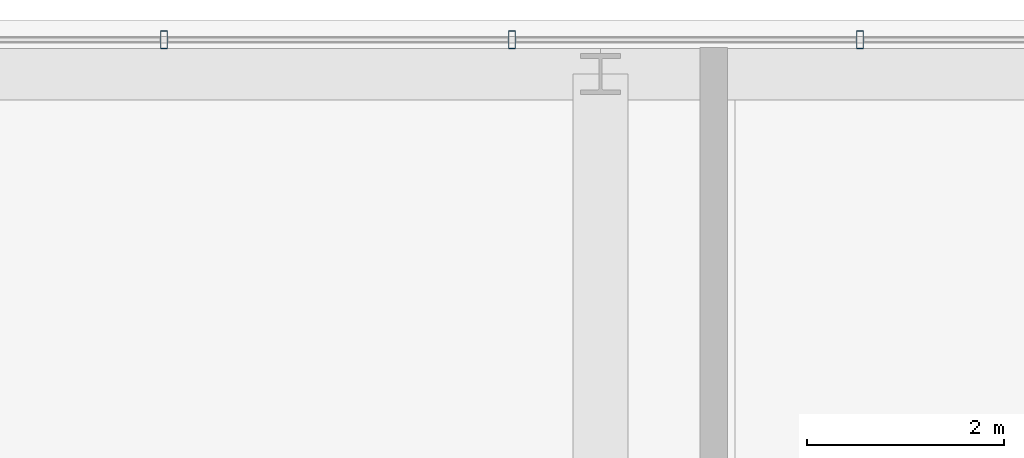
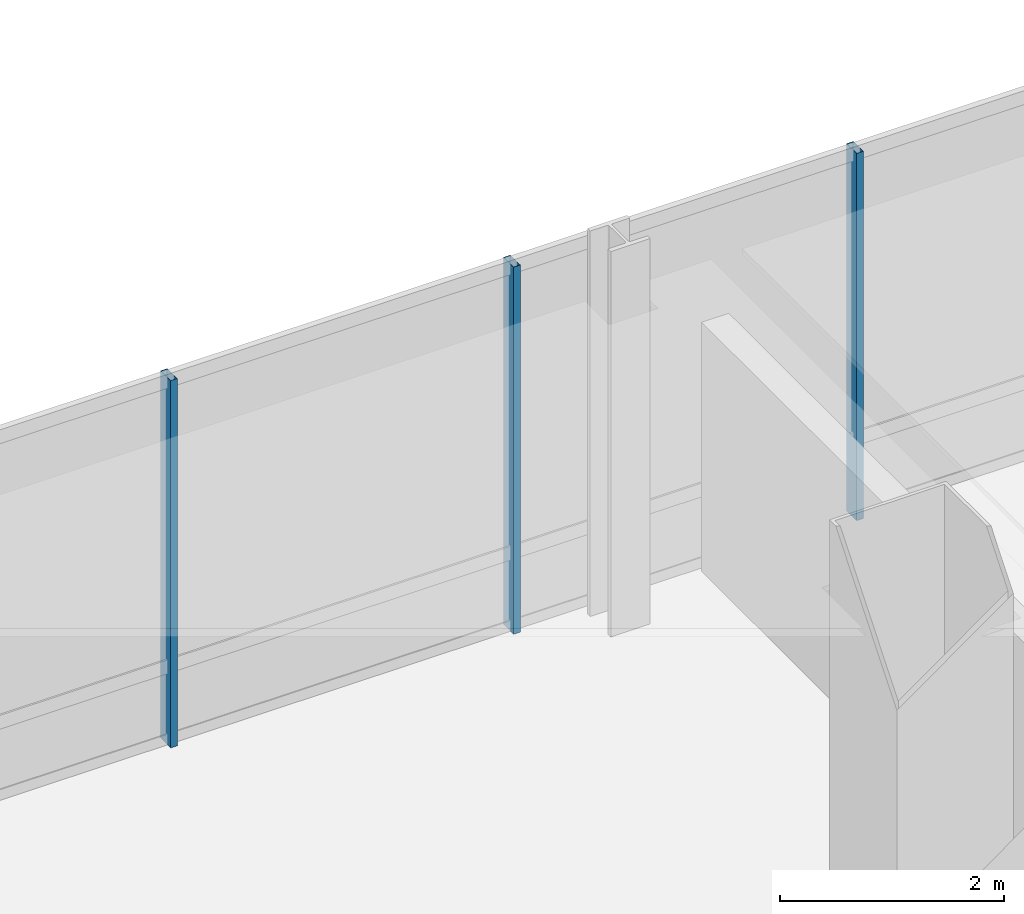
# One storey, part 27 of 42: 3 members, 1 element without a shape of its own.
"""IFC4 building model written with IfcOpenShell, lengths in metres."""

from ifc_helpers import new_model, si_unit, direction, frame, origin, origin_2d, place, context, subcontext, project, spatial, hollow_rectangle, extrude, material, material_profile, profile_set, type_object, element, aggregate, save


model = new_model("IFC4")

# Units and contexts
model_context = context("Model", 3, precision=1e-05, world=origin(), true_north=direction((0.0, 1.0)))
body_context = subcontext(model_context, "Body", "Model", "MODEL_VIEW")
ifc_project = project(units=[si_unit("LENGTHUNIT", "METRE"), si_unit("AREAUNIT", "SQUARE_METRE"), si_unit("VOLUMEUNIT", "CUBIC_METRE"), si_unit("PLANEANGLEUNIT", "RADIAN"), si_unit("MASSUNIT", "GRAM", prefix="KILO")], contexts=[model_context])

# Site, building, storey
site_placement = place(None, origin())
site = spatial("IfcSite", under=ifc_project, at=site_placement, CompositionType="ELEMENT")
building_placement = place(site_placement, origin())
building = spatial("IfcBuilding", under=site, at=building_placement, Name="Punatoya Terracotta Tower", CompositionType="ELEMENT")
storey_placement = place(building_placement, frame((0.0, 0.0, 304.800048828125)))
storey = spatial("IfcBuildingStorey", under=building, at=storey_placement, Name="L72", CompositionType="ELEMENT", Elevation=304.800048828125)

# Curtain wall, members
ifc_material_1 = material(Name="Aluminium 6063-T6 + Double Low-E Glass", Category="aluminium")
curtain_wall_type = type_object("IfcCurtainWallType", Name="CW-M3", PredefinedType="NOTDEFINED", material=ifc_material_1)
curtain_wall_placement = place(storey_placement, origin())
curtain_wall = element("IfcCurtainWall", 1, at=curtain_wall_placement, inside=storey, type_object=curtain_wall_type, Name="L72 Curtain Wall CW-L72-N09-1", PredefinedType="NOTDEFINED")
ifc_material_2 = material(Name="Aluminium 6063-T6", Category="aluminium")
ifc_material_profile = material_profile(ifc_material_2, hollow_rectangle(XDim=0.070068359375, YDim=0.179931640625, WallThickness=0.00390625, at=origin_2d()))
ifc_profile_set = profile_set([ifc_material_profile], Name="Aluminium 6063-T6")
member_type = type_object("IfcMemberType", Name="CW-MUL-M3", PredefinedType="MULLION", material=ifc_profile_set)
member_1_placement = place(storey_placement, frame((6.43505859375, 23.25, 0.0), z_axis=(0.0, 0.0, 1.0), x_axis=(1.0, 0.0, 0.0)))
member_1 = element("IfcMember", 2, at=member_1_placement, type_object=member_type, Name="CW-L72-N09-1 Mullion 03", PredefinedType="MULLION", context=body_context, shape_type="SweptSolid", body=[
    extrude(hollow_rectangle(XDim=0.070068359375, YDim=0.179931640625, WallThickness=0.00390625, at=origin_2d()), origin(), (0.0, 0.0, 1.0), 4.0),
])
member_2_placement = place(storey_placement, frame((2.90087890625, 23.25, 0.0), z_axis=(0.0, 0.0, 1.0), x_axis=(1.0, 0.0, 0.0)))
member_2 = element("IfcMember", 3, at=member_2_placement, type_object=member_type, Name="CW-L72-N09-1 Mullion 04", PredefinedType="MULLION", context=body_context, shape_type="SweptSolid", body=[
    extrude(hollow_rectangle(XDim=0.070068359375, YDim=0.179931640625, WallThickness=0.00390625, at=origin_2d()), origin(), (0.0, 0.0, 1.0), 4.0),
])
member_3_placement = place(storey_placement, frame((-0.633056640625, 23.25, 0.0), z_axis=(0.0, 0.0, 1.0), x_axis=(1.0, 0.0, 0.0)))
member_3 = element("IfcMember", 4, at=member_3_placement, type_object=member_type, Name="CW-L72-N09-1 Mullion 05", PredefinedType="MULLION", context=body_context, shape_type="SweptSolid", body=[
    extrude(hollow_rectangle(XDim=0.070068359375, YDim=0.179931640625, WallThickness=0.00390625, at=origin_2d()), origin(), (0.0, 0.0, 1.0), 4.0),
])
aggregate(curtain_wall, [member_1, member_2, member_3])

save(model, "model.ifc")
